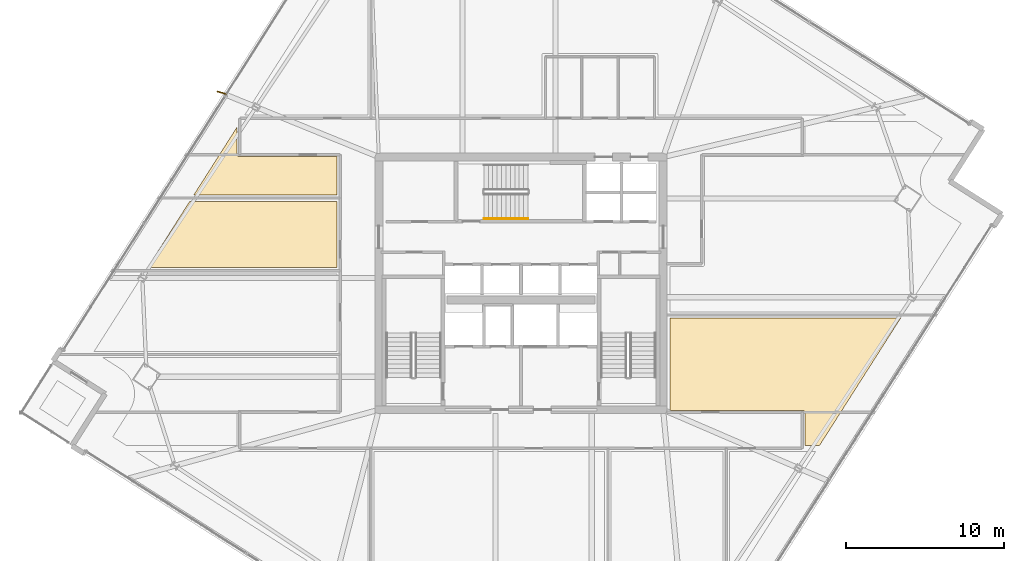
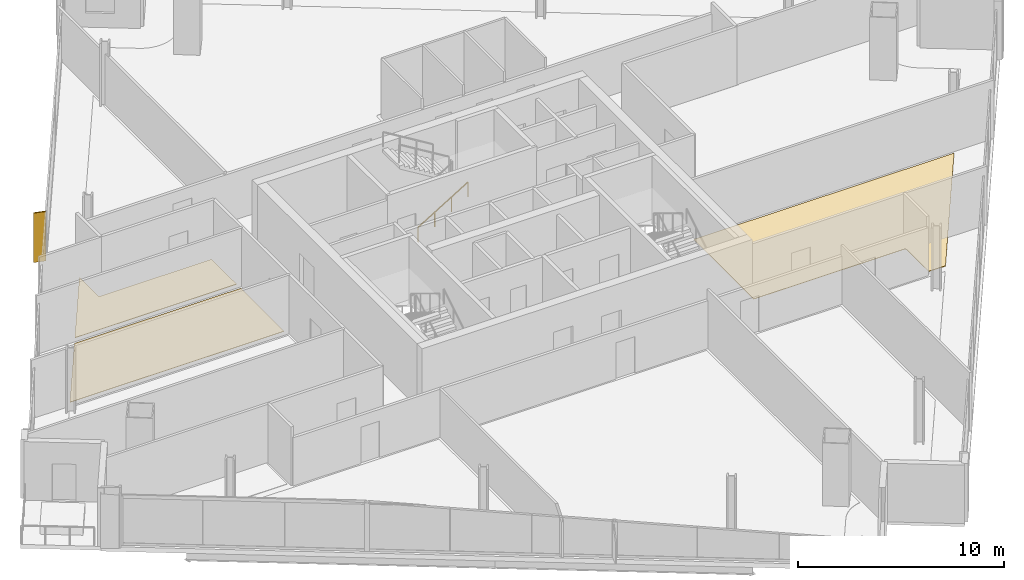
# One storey, part 28 of 30: 3 coverings, 1 railing, 1 shading device.
"""IFC4 building model written with IfcOpenShell, lengths in metres."""

from ifc_helpers import new_model, si_unit, direction, frame, origin, origin_2d, place, context, subcontext, project, spatial, polyline, rectangle, outline, extrude, source, transform, mapped, material, layer, layer_set, type_object, element, save


model = new_model("IFC4")

# Units and contexts
model_context = context("Model", 3, precision=1e-05, world=origin(), true_north=direction((0.0, 1.0)))
body_context = subcontext(model_context, "Body", "Model", "MODEL_VIEW")
ifc_project = project(units=[si_unit("LENGTHUNIT", "METRE"), si_unit("AREAUNIT", "SQUARE_METRE"), si_unit("VOLUMEUNIT", "CUBIC_METRE"), si_unit("PLANEANGLEUNIT", "RADIAN"), si_unit("MASSUNIT", "GRAM", prefix="KILO")], contexts=[model_context])

# Site, building, storey
site_placement = place(None, origin())
site = spatial("IfcSite", under=ifc_project, at=site_placement, CompositionType="ELEMENT")
building_placement = place(site_placement, origin())
building = spatial("IfcBuilding", under=site, at=building_placement, Name="Haldenkirk Collegiate Tower", CompositionType="ELEMENT")
storey_placement = place(building_placement, frame((0.0, 0.0, 220.949951171875)))
storey = spatial("IfcBuildingStorey", under=building, at=storey_placement, Name="L55", CompositionType="ELEMENT", Elevation=220.949951171875)

# Coverings
ifc_material_1 = material(Name="Polished collegiate terrazzo", Category="concrete")
ifc_layer_1 = layer(ifc_material_1, 0.02490234375)
ifc_layer_set_1 = layer_set([ifc_layer_1], Name="Polished collegiate terrazzo")
covering_type_1 = type_object("IfcCoveringType", Name="COV-FLOOR-TERRAZZO", PredefinedType="FLOORING", material=ifc_layer_set_1)
covering_1_placement = place(storey_placement, origin())
element("IfcCovering", 1, at=covering_1_placement, inside=storey, type_object=covering_type_1, Name="L55 academic room finish 10", PredefinedType="FLOORING", context=body_context, shape_type="SweptSolid", body=[
    extrude(outline(polyline([(18.030029296875, 35.9091796875), (18.030029296875, 34.14990234375), (18.030517578125, 34.13818359375), (18.0322265625, 34.126708984375), (18.03515625, 34.115234375), (18.0390625, 34.10400390625), (18.044189453125, 34.093505859375), (18.05029296875, 34.083251953125), (18.05712890625, 34.073974609375), (18.065185546875, 34.065185546875), (18.073974609375, 34.05712890625), (18.083251953125, 34.05029296875), (18.093505859375, 34.044189453125), (18.10400390625, 34.0390625), (18.115234375, 34.03515625), (18.126708984375, 34.0322265625), (18.13818359375, 34.030517578125), (18.14990234375, 34.030029296875), (24.35009765625, 34.030029296875), (24.35009765625, 31.60009765625), (15.28466796875, 31.60009765625), (18.030029296875, 35.9091796875)])), origin(), (0.0, 0.0, 1.0), 0.025146484375),
])
ifc_material_2 = material(Name="Engineered collegiate oak acoustic flooring", Category="wood")
ifc_layer_2 = layer(ifc_material_2, 0.02197265625)
ifc_layer_set_2 = layer_set([ifc_layer_2], Name="Engineered collegiate oak acoustic flooring")
covering_type_2 = type_object("IfcCoveringType", Name="COV-FLOOR-TIMBER", PredefinedType="FLOORING", material=ifc_layer_set_2)
covering_2_placement = place(storey_placement, origin())
element("IfcCovering", 2, at=covering_2_placement, inside=storey, type_object=covering_type_2, Name="L55 academic room finish 09", PredefinedType="FLOORING", context=body_context, shape_type="SweptSolid", body=[
    extrude(outline(polyline([(15.02978515625, 31.199951171875), (24.35009765625, 31.199951171875), (24.35009765625, 27.0), (12.35400390625, 27.0), (15.02978515625, 31.199951171875)])), origin(), (0.0, 0.0, 1.0), 0.02197265625),
])
covering_3_placement = place(storey_placement, origin())
element("IfcCovering", 3, at=covering_3_placement, inside=storey, type_object=covering_type_2, Name="L55 academic room finish 11", PredefinedType="FLOORING", context=body_context, shape_type="SweptSolid", body=[
    extrude(outline(polyline([(45.449951171875, 17.969970703125), (45.449951171875, 23.800048828125), (60.037353515625, 23.800048828125), (54.908935546875, 15.75), (53.969970703125, 15.75), (53.969970703125, 17.85009765625), (53.969482421875, 17.86181640625), (53.9677734375, 17.873291015625), (53.96484375, 17.884765625), (53.9609375, 17.89599609375), (53.955810546875, 17.906494140625), (53.94970703125, 17.916748046875), (53.94287109375, 17.926025390625), (53.934814453125, 17.934814453125), (53.926025390625, 17.94287109375), (53.916748046875, 17.94970703125), (53.906494140625, 17.955810546875), (53.89599609375, 17.9609375), (53.884765625, 17.96484375), (53.873291015625, 17.9677734375), (53.86181640625, 17.969482421875), (53.85009765625, 17.969970703125), (45.449951171875, 17.969970703125)])), origin(), (0.0, 0.0, 1.0), 0.02197265625),
])

# Railing
ifc_material_3 = material(Name="Painted architectural tubular steel", Category="steel")
railing_type = type_object("IfcRailingType", Name="RLG-STAIR-HANDRAIL-900", PredefinedType="HANDRAIL", material=ifc_material_3)
railing_placement = place(storey_placement, frame((33.64990234375, 30.10009765625, 0.17041015625)))
element("IfcRailing", 4, at=railing_placement, inside=storey, type_object=railing_type, Name="L55 ST-3 stair handrail 1", PredefinedType="HANDRAIL", context=body_context, shape_type="SweptSolid", body=[
    extrude(rectangle(XDim=0.048095703125, YDim=0.048095703125, at=origin_2d()), frame((0.0, 0.0, 0.8759765625), z_axis=(0.854169791009, 0.0, 0.51999420009), x_axis=(0.0, 1.0, 0.0)), (0.0, 0.0, 1.0), 3.278076171875),
    extrude(rectangle(XDim=0.0419921875, YDim=0.0419921875, at=origin_2d()), origin(), (0.0, 0.0, 1.0), 0.851806640625),
    extrude(rectangle(XDim=0.0419921875, YDim=0.0419921875, at=origin_2d()), frame((0.933349609375, 0.0, 0.568115234375)), (0.0, 0.0, 1.0), 0.851806640625),
    extrude(rectangle(XDim=0.0419921875, YDim=0.0419921875, at=origin_2d()), frame((1.86669921875, 0.0, 1.136474609375)), (0.0, 0.0, 1.0), 0.851806640625),
    extrude(rectangle(XDim=0.0419921875, YDim=0.0419921875, at=origin_2d()), frame((2.800048828125, 0.0, 1.70458984375)), (0.0, 0.0, 1.0), 0.851806640625),
])

# Shading device
ifc_material_4 = material(Name="Anodised architectural bronze aluminium", Category="aluminium")
ifc_layer_3 = layer(ifc_material_4, 0.06494140625)
ifc_layer_set_3 = layer_set([ifc_layer_3], Name="Anodised architectural bronze aluminium")
shading_device_type = type_object("IfcShadingDeviceType", Name="SHD-FIN-BRONZE-620", PredefinedType="USERDEFINED", material=ifc_layer_set_3)
shared_shape = source(origin(), body_context, "Body", "SweptSolid", [
    extrude(rectangle(XDim=0.6201171875, YDim=0.06494140625, at=origin_2d()), origin(), (0.0, 0.0, 1.0), 2.927978515625),
])
shading_device_placement = place(storey_placement, frame((17.05322265625, 38.0703125, 0.0), z_axis=(0.0, 0.0, 1.0), x_axis=(-0.958819734868, 0.284015344704, 0.0)))
element("IfcShadingDevice", 5, at=shading_device_placement, inside=storey, type_object=shading_device_type, Name="L55 folded bronze solar fin 1", ObjectType="FIN", PredefinedType="USERDEFINED", context=body_context, shape_type="MappedRepresentation", body=[
    mapped(shared_shape, transform((0.0, 0.0, 0.0), x_axis=(1.0, 0.0, 0.0), y_axis=(0.0, 1.0, 0.0), z_axis=(0.0, 0.0, 1.0), scale=1.0)),
])

save(model, "model.ifc")
